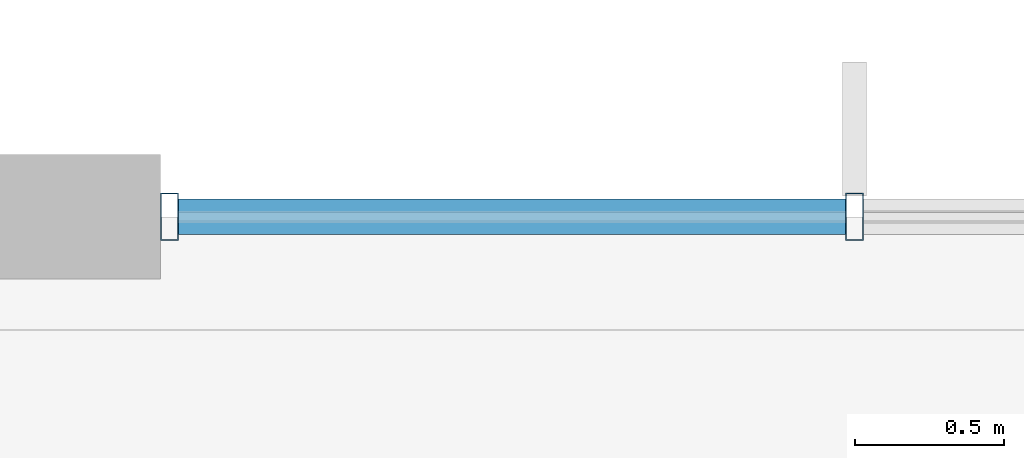
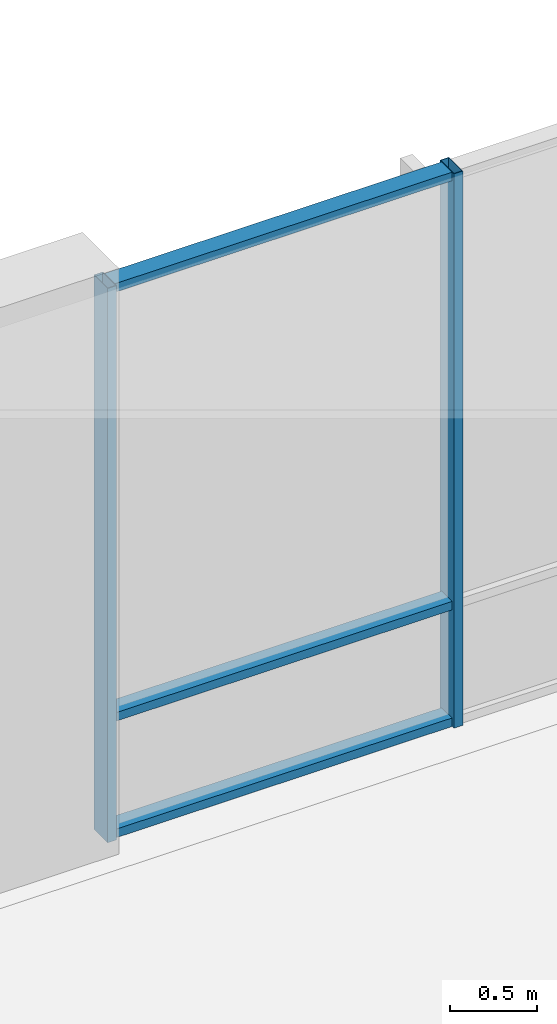
# One storey, part 120 of 233: 5 members, 1 element without a shape of its own.
"""IFC4 building model written with IfcOpenShell, lengths in metres."""

from ifc_helpers import new_model, si_unit, direction, frame, origin, origin_2d, place, context, subcontext, project, spatial, hollow_rectangle, extrude, material, material_profile, profile_set, type_object, element, aggregate, save


model = new_model("IFC4")

# Units and contexts
model_context = context("Model", 3, precision=1e-05, world=origin(), true_north=direction((0.0, 1.0)))
body_context = subcontext(model_context, "Body", "Model", "MODEL_VIEW")
ifc_project = project(units=[si_unit("LENGTHUNIT", "METRE"), si_unit("AREAUNIT", "SQUARE_METRE"), si_unit("VOLUMEUNIT", "CUBIC_METRE"), si_unit("PLANEANGLEUNIT", "RADIAN"), si_unit("MASSUNIT", "GRAM", prefix="KILO")], contexts=[model_context])

# Site, building, storey
site_placement = place(None, origin())
site = spatial("IfcSite", under=ifc_project, at=site_placement, CompositionType="ELEMENT")
building_placement = place(site_placement, origin())
building = spatial("IfcBuilding", under=site, at=building_placement, Name="Zavelmont Quarter", CompositionType="ELEMENT")
storey_placement = place(building_placement, origin())
storey = spatial("IfcBuildingStorey", under=building, at=storey_placement, Name="L00", CompositionType="ELEMENT", Elevation=0.0)

# Curtain wall, members
ifc_material_1 = material(Name="Thermally broken aluminium and double low-E safety glazing", Category="aluminium")
curtain_wall_type = type_object("IfcCurtainWallType", Name="CW-700X390", PredefinedType="NOTDEFINED", material=ifc_material_1)
curtain_wall_placement = place(storey_placement, origin())
curtain_wall = element("IfcCurtainWall", 1, at=curtain_wall_placement, inside=storey, type_object=curtain_wall_type, Name="L00 unitised curtain wall CW-700X390", PredefinedType="NOTDEFINED")
ifc_material_2 = material(Name="Powder-coated aluminium EN AW-6063-T6", Category="aluminium")
ifc_material_profile_1 = material_profile(ifc_material_2, hollow_rectangle(XDim=0.06005859375, YDim=0.159912109375, WallThickness=0.00390625, at=origin_2d()), Name="CWM60X160")
ifc_profile_set_1 = profile_set([ifc_material_profile_1], Name="Powder-coated aluminium EN AW-6063-T6")
member_type_1 = type_object("IfcMemberType", Name="CWM01", PredefinedType="MULLION", material=ifc_profile_set_1)
member_1_placement = place(storey_placement, frame((60.830078125, 116.0, 0.0), z_axis=(0.0, 0.0, 1.0), x_axis=(1.0, 0.0, 0.0)))
member_1 = element("IfcMember", 2, at=member_1_placement, type_object=member_type_1, Name="CW-700X390 mullion 1", PredefinedType="MULLION", context=body_context, shape_type="SweptSolid", body=[
    extrude(hollow_rectangle(XDim=0.06005859375, YDim=0.159912109375, WallThickness=0.00390625, at=origin_2d()), origin(), (0.0, 0.0, 1.0), 3.89990234375),
])
member_2_placement = place(storey_placement, frame((63.13330078125, 116.0, 0.0), z_axis=(0.0, 0.0, 1.0), x_axis=(1.0, 0.0, 0.0)))
member_2 = element("IfcMember", 3, at=member_2_placement, type_object=member_type_1, Name="CW-700X390 mullion 2", PredefinedType="MULLION", context=body_context, shape_type="SweptSolid", body=[
    extrude(hollow_rectangle(XDim=0.06005859375, YDim=0.159912109375, WallThickness=0.00390625, at=origin_2d()), origin(), (0.0, 0.0, 1.0), 3.89990234375),
])
ifc_material_profile_2 = material_profile(ifc_material_2, hollow_rectangle(XDim=0.1201171875, YDim=0.06005859375, WallThickness=0.00390625, at=origin_2d()), Name="CWT60X120")
ifc_profile_set_2 = profile_set([ifc_material_profile_2], Name="Powder-coated aluminium EN AW-6063-T6")
member_type_2 = type_object("IfcMemberType", Name="CWT01", PredefinedType="NOTDEFINED", material=ifc_profile_set_2)
member_3_placement = place(storey_placement, frame((60.860107421875, 116.0, 0.030029296875), z_axis=(1.0, 0.0, 0.0), x_axis=(0.0, 1.0, 0.0)))
member_3 = element("IfcMember", 4, at=member_3_placement, type_object=member_type_2, Name="CW-700X390 transom 1.1", ObjectType="TRANSOM", PredefinedType="USERDEFINED", context=body_context, shape_type="SweptSolid", body=[
    extrude(hollow_rectangle(XDim=0.1201171875, YDim=0.06005859375, WallThickness=0.00390625, at=origin_2d()), origin(), (0.0, 0.0, 1.0), 2.2431640625),
])
member_4_placement = place(storey_placement, frame((60.860107421875, 116.0, 0.85009765625), z_axis=(1.0, 0.0, 0.0), x_axis=(0.0, 1.0, 0.0)))
member_4 = element("IfcMember", 5, at=member_4_placement, type_object=member_type_2, Name="CW-700X390 transom 1.2", ObjectType="TRANSOM", PredefinedType="USERDEFINED", context=body_context, shape_type="SweptSolid", body=[
    extrude(hollow_rectangle(XDim=0.1201171875, YDim=0.06005859375, WallThickness=0.00390625, at=origin_2d()), origin(), (0.0, 0.0, 1.0), 2.2431640625),
])
member_5_placement = place(storey_placement, frame((60.860107421875, 116.0, 3.8701171875), z_axis=(1.0, 0.0, 0.0), x_axis=(0.0, 1.0, 0.0)))
member_5 = element("IfcMember", 6, at=member_5_placement, type_object=member_type_2, Name="CW-700X390 transom 1.3", ObjectType="TRANSOM", PredefinedType="USERDEFINED", context=body_context, shape_type="SweptSolid", body=[
    extrude(hollow_rectangle(XDim=0.1201171875, YDim=0.06005859375, WallThickness=0.00390625, at=origin_2d()), origin(), (0.0, 0.0, 1.0), 2.2431640625),
])
aggregate(curtain_wall, [member_1, member_2, member_3, member_4, member_5])

save(model, "model.ifc")
